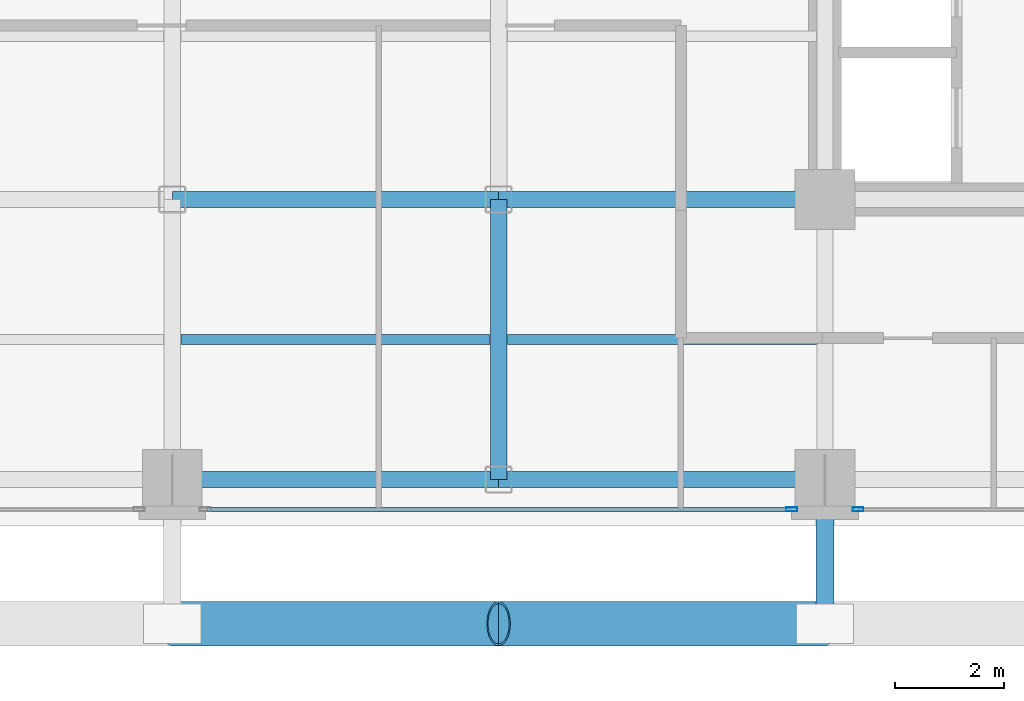
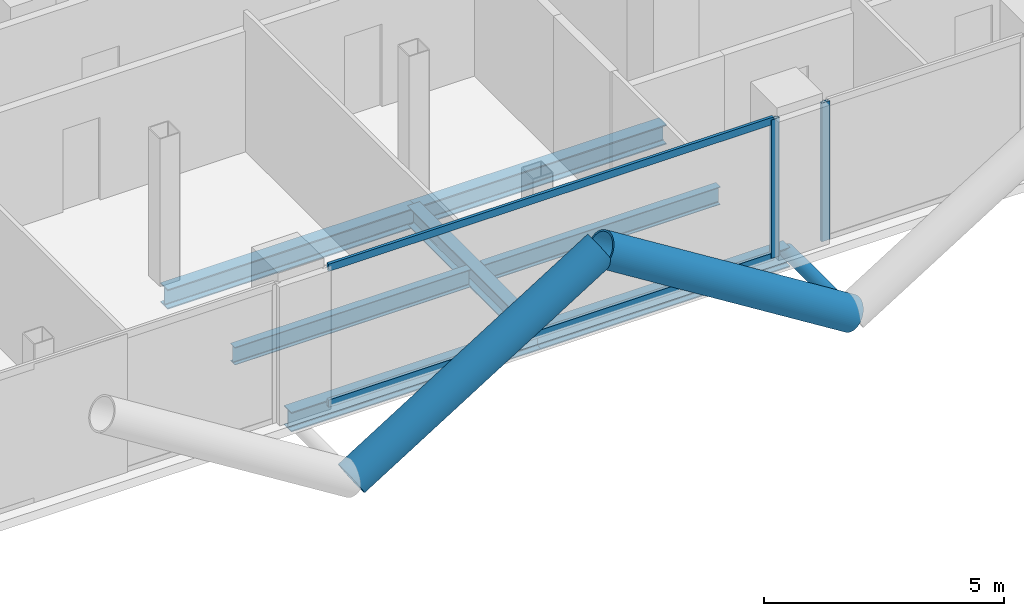
# One storey, part 4 of 28: 7 beams, 7 members, 2 elements without a shape of their own.
"""IFC4 building model written with IfcOpenShell, lengths in metres."""

from ifc_helpers import new_model, si_unit, direction, frame, origin, origin_2d, place, context, subcontext, project, spatial, hollow_rectangle, hollow_circle, i_section, extrude, material, layer, layer_set, material_profile, profile_set, type_object, element, aggregate, save


model = new_model("IFC4")

# Units and contexts
model_context = context("Model", 3, precision=1e-05, world=origin(), true_north=direction((0.0, 1.0)))
body_context = subcontext(model_context, "Body", "Model", "MODEL_VIEW")
ifc_project = project(units=[si_unit("LENGTHUNIT", "METRE"), si_unit("AREAUNIT", "SQUARE_METRE"), si_unit("VOLUMEUNIT", "CUBIC_METRE"), si_unit("PLANEANGLEUNIT", "RADIAN"), si_unit("MASSUNIT", "GRAM", prefix="KILO"), si_unit("THERMODYNAMICTEMPERATUREUNIT", "KELVIN"), si_unit("POWERUNIT", "WATT")], contexts=[model_context])

# Site, building, storey
site_placement = place(None, origin())
site = spatial("IfcSite", under=ifc_project, at=site_placement, CompositionType="ELEMENT")
building_placement = place(site_placement, origin())
building = spatial("IfcBuilding", under=site, at=building_placement, Name="Svarakhadi Broadcast Tower", CompositionType="ELEMENT")
storey_placement = place(building_placement, frame((0.0, 0.0, 138.14990234375)))
storey = spatial("IfcBuildingStorey", under=building, at=storey_placement, Name="L33", CompositionType="ELEMENT", Elevation=138.14990234375)

# Beams
ifc_material_1 = material(Name="Steel S355J2 (IS 2062 E350C)", Category="steel")
ifc_material_profile_1 = material_profile(ifc_material_1, i_section(OverallWidth=0.18994140625, OverallDepth=0.449951171875, WebThickness=0.009521484375, FlangeThickness=0.0146484375, FilletRadius=0.02099609375, at=origin_2d()), Name="NPB 450x190x78")
ifc_profile_set_1 = profile_set([ifc_material_profile_1], Name="Steel S355J2 (IS 2062 E350C)")
beam_type_1 = type_object("IfcBeamType", Name="Beam_NPB450", PredefinedType="BEAM", material=ifc_profile_set_1)
for number, where, z_axis, x_axis, name in (
    (1, (12.159912109375, 3.425048828125, -0.449951171875), (1.0, 0.0, 0.0), (0.0, 1.0, 0.0), "L33 Secondary Composite Beam SB011"),
    (2, (18.159912109375, 3.425048828125, -0.449951171875), (1.0, 0.0, 0.0), (0.0, 1.0, 0.0), "L33 Secondary Composite Beam SB016"),
):
    element("IfcBeam", number, at=place(storey_placement, frame(where, z_axis=z_axis, x_axis=x_axis)), inside=storey, type_object=beam_type_1, Name=name, PredefinedType="BEAM", context=body_context, shape_type="SweptSolid", body=[
        extrude(i_section(OverallWidth=0.18994140625, OverallDepth=0.449951171875, WebThickness=0.009521484375, FlangeThickness=0.0146484375, FilletRadius=0.02099609375, at=origin_2d()), origin(), (0.0, 0.0, 1.0), 5.68017578125),
    ])

# Curtain wall, member
ifc_material_2 = material(Name="Anodised Bronze Aluminium AA 6063-T6", Category="aluminium")
ifc_layer = layer(ifc_material_2, 0.199951171875)
ifc_layer_set = layer_set([ifc_layer], Name="Anodised Bronze Aluminium AA 6063-T6")
curtain_wall_type = type_object("IfcCurtainWallType", Name="CW_Sys_03", PredefinedType="NOTDEFINED", material=ifc_layer_set)
curtain_wall_1_placement = place(storey_placement, origin())
curtain_wall_1 = element("IfcCurtainWall", 3, at=curtain_wall_1_placement, inside=storey, type_object=curtain_wall_type, Name="L33 South Curtain Wall 17 Bay 2", PredefinedType="NOTDEFINED")
ifc_material_profile_2 = material_profile(ifc_material_2, hollow_rectangle(XDim=0.074951171875, YDim=0.199951171875, WallThickness=0.005615234375, at=origin_2d()), Name="ALU MULLION 200x75x6")
ifc_profile_set_2 = profile_set([ifc_material_profile_2], Name="Anodised Bronze Aluminium AA 6063-T6")
member_type_1 = type_object("IfcMemberType", Name="CW_Sys_03_Mul", PredefinedType="MULLION", material=ifc_profile_set_2)
member_1_placement = place(storey_placement, frame((24.607421875, 0.300048828125, 0.0), z_axis=(0.0, 0.0, 1.0), x_axis=(0.0, -1.0, 0.0)))
member_1 = element("IfcMember", 4, at=member_1_placement, type_object=member_type_1, Name="CW-03 mullion 2", PredefinedType="MULLION", context=body_context, shape_type="SweptSolid", body=[
    extrude(hollow_rectangle(XDim=0.074951171875, YDim=0.199951171875, WallThickness=0.005615234375, at=origin_2d()), origin(), (0.0, 0.0, 1.0), 3.525146484375),
])
aggregate(curtain_wall_1, [member_1])

# Curtain wall, members
curtain_wall_2_placement = place(storey_placement, origin())
curtain_wall_2 = element("IfcCurtainWall", 5, at=curtain_wall_2_placement, inside=storey, type_object=curtain_wall_type, Name="L33 South Curtain Wall 17 Bay 3", PredefinedType="NOTDEFINED")
member_2_placement = place(storey_placement, frame((23.392578125, 0.300048828125, 0.0), z_axis=(0.0, 0.0, 1.0), x_axis=(0.0, -1.0, 0.0)))
member_2 = element("IfcMember", 6, at=member_2_placement, type_object=member_type_1, Name="CW-03 mullion 1", PredefinedType="MULLION", context=body_context, shape_type="SweptSolid", body=[
    extrude(hollow_rectangle(XDim=0.074951171875, YDim=0.199951171875, WallThickness=0.005615234375, at=origin_2d()), origin(), (0.0, 0.0, 1.0), 3.525146484375),
])
ifc_material_profile_3 = material_profile(ifc_material_2, hollow_rectangle(XDim=0.070068359375, YDim=0.18505859375, WallThickness=0.0048828125, at=origin_2d()), Name="ALU TRANSOM 185x70x5")
ifc_profile_set_3 = profile_set([ifc_material_profile_3], Name="Anodised Bronze Aluminium AA 6063-T6")
member_type_2 = type_object("IfcMemberType", Name="CW_Sys_03_Trn", PredefinedType="USERDEFINED", material=ifc_profile_set_3)
member_3_placement = place(storey_placement, frame((23.35498046875, 0.300048828125, 0.03515625), z_axis=(-1.0, 0.0, 0.0), x_axis=(0.0, -1.0, 0.0)))
member_3 = element("IfcMember", 7, at=member_3_placement, type_object=member_type_2, Name="CW-03 transom 1.1", ObjectType="TRANSOM", PredefinedType="USERDEFINED", context=body_context, shape_type="SweptSolid", body=[
    extrude(hollow_rectangle(XDim=0.070068359375, YDim=0.18505859375, WallThickness=0.0048828125, at=origin_2d()), origin(), (0.0, 0.0, 1.0), 10.7099609375),
])
member_4_placement = place(storey_placement, frame((23.35498046875, 0.300048828125, 3.489990234375), z_axis=(-1.0, 0.0, 0.0), x_axis=(0.0, -1.0, 0.0)))
member_4 = element("IfcMember", 8, at=member_4_placement, type_object=member_type_2, Name="CW-03 transom 1.2", ObjectType="TRANSOM", PredefinedType="USERDEFINED", context=body_context, shape_type="SweptSolid", body=[
    extrude(hollow_rectangle(XDim=0.070068359375, YDim=0.18505859375, WallThickness=0.0048828125, at=origin_2d()), origin(), (0.0, 0.0, 1.0), 10.7099609375),
])
aggregate(curtain_wall_2, [member_2, member_3, member_4])

# Members
ifc_material_3 = material(Name="Steel S460ML (IS 2062 E450BR)", Category="steel")
ifc_material_profile_4 = material_profile(ifc_material_3, hollow_circle(Radius=0.406494140625, WallThickness=0.0400390625, at=origin_2d()), Name="CHS 813x40")
ifc_profile_set_4 = profile_set([ifc_material_profile_4], Name="Steel S460ML (IS 2062 E450BR)")
member_type_3 = type_object("IfcMemberType", Name="Exo_Brace_CHS813", PredefinedType="BRACE", material=ifc_profile_set_4)
for number, where, z_axis, x_axis, name in (
    (9, (12.0, -1.800048828125, -0.386962890625), (0.847998304005, 0.0, 0.529998940003), (0.0, 1.0, 0.0), "L33 Exposed Bronze Exoskeleton Diagonal S02"),
    (10, (24.0, -1.800048828125, -0.386962890625), (-0.847998304005, 0.0, 0.529998940003), (0.0, -1.0, 0.0), "L33 Exposed Bronze Exoskeleton Diagonal S03"),
):
    element("IfcMember", number, at=place(storey_placement, frame(where, z_axis=z_axis, x_axis=x_axis)), inside=storey, type_object=member_type_3, Name=name, PredefinedType="BRACE", context=body_context, shape_type="SweptSolid", body=[
        extrude(hollow_circle(Radius=0.406494140625, WallThickness=0.0400390625, at=origin_2d()), origin(), (0.0, 0.0, 1.0), 7.075439453125),
    ])
ifc_material_profile_5 = material_profile(ifc_material_3, hollow_circle(Radius=0.161865234375, WallThickness=0.01611328125, at=origin_2d()), Name="CHS 323.9x16")
ifc_profile_set_5 = profile_set([ifc_material_profile_5], Name="Steel S460ML (IS 2062 E450BR)")
member_type_4 = type_object("IfcMemberType", Name="Exo_Radial_Strut_Z2", PredefinedType="STRUT", material=ifc_profile_set_5)
member_5_placement = place(storey_placement, frame((24.0, -1.800048828125, -0.386962890625), z_axis=(0.0, 1.0, 0.0), x_axis=(-1.0, 0.0, 0.0)))
element("IfcMember", 11, at=member_5_placement, inside=storey, type_object=member_type_4, Name="L33 Exoskeleton Radial Tie Strut S02", PredefinedType="STRUT", context=body_context, shape_type="SweptSolid", body=[
    extrude(hollow_circle(Radius=0.161865234375, WallThickness=0.01611328125, at=origin_2d()), origin(), (0.0, 0.0, 1.0), 2.650146484375),
])

# Beams
ifc_material_profile_6 = material_profile(ifc_material_1, i_section(OverallWidth=0.300048828125, OverallDepth=0.5, WebThickness=0.014404296875, FlangeThickness=0.028076171875, FilletRadius=0.027099609375, at=origin_2d()), Name="WPB 500x300x187")
ifc_profile_set_6 = profile_set([ifc_material_profile_6], Name="Steel S355J2 (IS 2062 E350C)")
beam_type_2 = type_object("IfcBeamType", Name="Girder_WPB500", PredefinedType="USERDEFINED", material=ifc_profile_set_6)
for number, where, z_axis, x_axis, name in (
    (12, (12.0, 0.85009765625, -0.474853515625), (1.0, 0.0, 0.0), (0.0, 1.0, 0.0), "L33 Primary E-W Girder G005"),
    (13, (18.0, 0.85009765625, -0.474853515625), (1.0, 0.0, 0.0), (0.0, 1.0, 0.0), "L33 Primary E-W Girder G006"),
    (14, (12.0, 6.0, -0.474853515625), (1.0, 0.0, 0.0), (0.0, 1.0, 0.0), "L33 Primary E-W Girder G012"),
    (15, (18.0, 6.0, -0.474853515625), (1.0, 0.0, 0.0), (0.0, 1.0, 0.0), "L33 Primary E-W Girder G013"),
):
    element("IfcBeam", number, at=place(storey_placement, frame(where, z_axis=z_axis, x_axis=x_axis)), inside=storey, type_object=beam_type_2, Name=name, ObjectType="GIRDER", PredefinedType="USERDEFINED", context=body_context, shape_type="SweptSolid", body=[
        extrude(i_section(OverallWidth=0.300048828125, OverallDepth=0.5, WebThickness=0.014404296875, FlangeThickness=0.028076171875, FilletRadius=0.027099609375, at=origin_2d()), origin(), (0.0, 0.0, 1.0), 6.0),
    ])
beam_placement = place(storey_placement, frame((18.0, 0.85009765625, -0.474853515625), z_axis=(0.0, 1.0, 0.0), x_axis=(-1.0, 0.0, 0.0)))
element("IfcBeam", 16, at=beam_placement, inside=storey, type_object=beam_type_2, Name="L33 Primary N-S Girder G056", ObjectType="GIRDER", PredefinedType="USERDEFINED", context=body_context, shape_type="SweptSolid", body=[
    extrude(i_section(OverallWidth=0.300048828125, OverallDepth=0.5, WebThickness=0.014404296875, FlangeThickness=0.028076171875, FilletRadius=0.027099609375, at=origin_2d()), origin(), (0.0, 0.0, 1.0), 5.14990234375),
])

save(model, "model.ifc")
